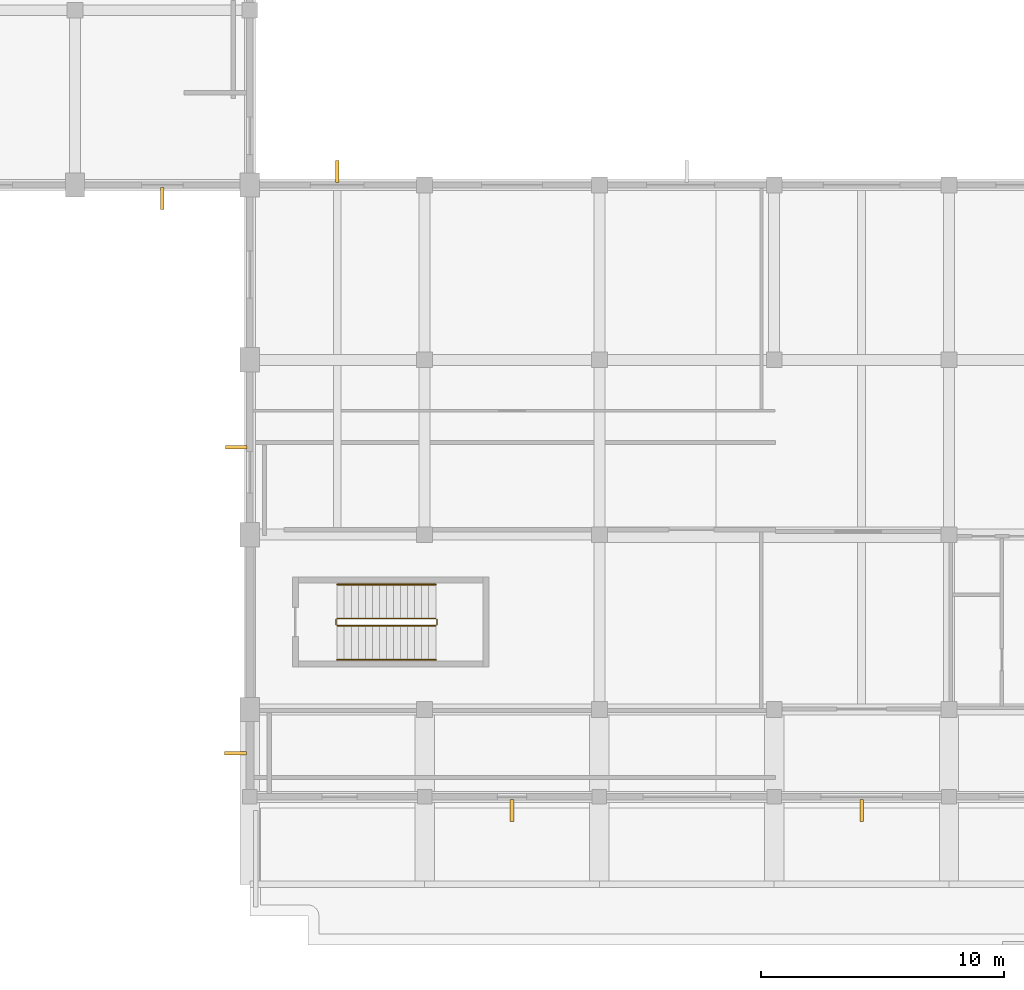
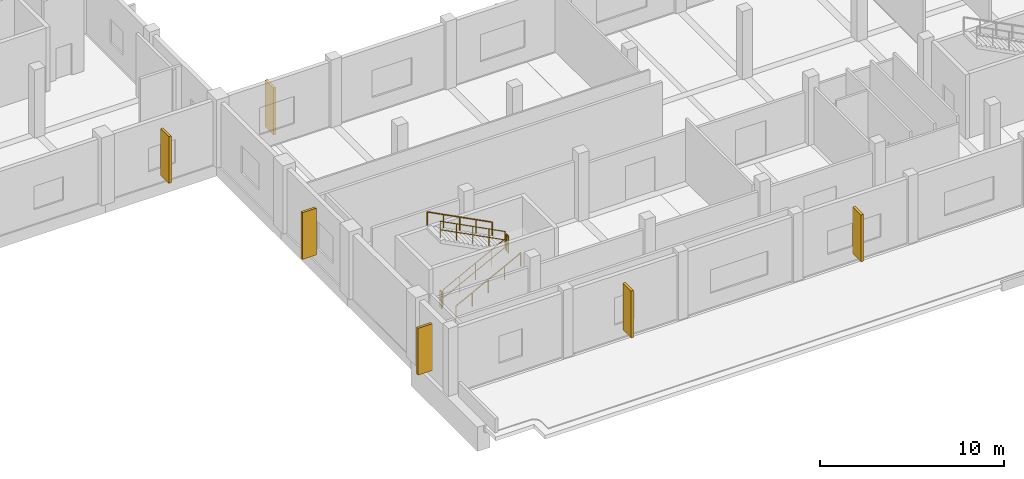
# One storey, part 11 of 16: 6 railings, 6 shading devices.
"""IFC4 building model written with IfcOpenShell, lengths in metres."""

from ifc_helpers import new_model, si_unit, direction, frame, origin, origin_2d, place, context, subcontext, project, spatial, rectangle, circle, extrude, material, type_object, element, save


model = new_model("IFC4")

# Units and contexts
model_context = context("Model", 3, precision=1e-05, world=origin(), true_north=direction((0.0, 1.0)))
body_context = subcontext(model_context, "Body", "Model", "MODEL_VIEW")
ifc_project = project(units=[si_unit("LENGTHUNIT", "METRE"), si_unit("AREAUNIT", "SQUARE_METRE"), si_unit("VOLUMEUNIT", "CUBIC_METRE"), si_unit("PLANEANGLEUNIT", "RADIAN"), si_unit("MASSUNIT", "GRAM", prefix="KILO")], contexts=[model_context])

# Site, building, storey
site_placement = place(None, origin())
site = spatial("IfcSite", under=ifc_project, at=site_placement, CompositionType="ELEMENT")
building_placement = place(site_placement, origin())
building = spatial("IfcBuilding", under=site, at=building_placement, Name="Seraya Terrace Polytechnic", CompositionType="ELEMENT")
storey_placement = place(building_placement, frame((0.0, 0.0, 23.39990234375)))
storey = spatial("IfcBuildingStorey", under=building, at=storey_placement, Name="L05", CompositionType="ELEMENT", Elevation=23.39990234375)

# Shading devices
ifc_material_1 = material(Name="Precast concrete C40/50", Category="concrete")
shading_device_type = type_object("IfcShadingDeviceType", Name="BS-F1", PredefinedType="JALOUSIE", material=ifc_material_1)
for number, where, z_axis, x_axis, name in (
    (1, (68.39990234375, 3.0400390625, 0.449951171875), (0.0, 0.0, 1.0), (0.0, -1.0, 0.0), "Precast concrete brise-soleil fin L05"),
    (2, (54.0, 3.0400390625, 0.449951171875), (0.0, 0.0, 1.0), (0.0, -1.0, 0.0), "Precast concrete brise-soleil fin L05"),
    (3, (42.60498046875, 5.39990234375, 0.449951171875), (0.0, 0.0, 1.0), (-1.0, 0.0, 0.0), "Precast concrete brise-soleil fin L05"),
    (4, (42.639892578125, 18.0, 0.449951171875), (0.0, 0.0, 1.0), (-1.0, 0.0, 0.0), "Precast concrete brise-soleil fin L05"),
    (5, (46.800048828125, 29.360107421875, 0.449951171875), (0.0, 0.0, 1.0), (0.0, 1.0, 0.0), "Precast concrete brise-soleil fin L05"),
    (6, (39.60009765625, 28.239990234375, 0.449951171875), (0.0, 0.0, 1.0), (0.0, -1.0, 0.0), "Precast concrete brise-soleil fin L05"),
):
    element("IfcShadingDevice", number, at=place(storey_placement, frame(where, z_axis=z_axis, x_axis=x_axis)), inside=storey, type_object=shading_device_type, Name=name, PredefinedType="JALOUSIE", context=body_context, shape_type="SweptSolid", body=[
        extrude(rectangle(XDim=0.89990234375, YDim=0.14990234375, at=origin_2d()), origin(), (0.0, 0.0, 1.0), 3.10009765625),
    ])

# Railings
ifc_material_2 = material(Name="Steel S355J2", Category="steel")
railing_type_1 = type_object("IfcRailingType", Name="GR-02", PredefinedType="GUARDRAIL", material=ifc_material_2)
railing_1_placement = place(storey_placement, frame((46.800048828125, 10.64990234375, 0.150146484375)))
element("IfcRailing", 7, at=railing_1_placement, inside=storey, type_object=railing_type_1, Name="L05 ST-03 stair guard 1", PredefinedType="GUARDRAIL", context=body_context, shape_type="SweptSolid", body=[
    extrude(circle(Radius=0.02392578125, at=origin_2d()), frame((0.0, 0.0, 1.10595703125), z_axis=(0.888233425583, 0.0, 0.459392404897), x_axis=(0.0, 1.0, 0.0)), (0.0, 0.0, 1.0), 4.571044921875),
    extrude(circle(Radius=0.02392578125, at=origin_2d()), frame((0.0, 0.0, 0.550048828125), z_axis=(0.888233425583, 0.0, 0.459392404897), x_axis=(0.0, 1.0, 0.0)), (0.0, 0.0, 1.0), 4.571044921875),
    extrude(circle(Radius=0.02099609375, at=origin_2d()), origin(), (0.0, 0.0, 1.0), 1.081787109375),
    extrude(circle(Radius=0.02099609375, at=origin_2d()), frame((1.01513671875, 0.0, 0.52490234375)), (0.0, 0.0, 1.0), 1.081787109375),
    extrude(circle(Radius=0.02099609375, at=origin_2d()), frame((2.030029296875, 0.0, 1.0498046875)), (0.0, 0.0, 1.0), 1.081787109375),
    extrude(circle(Radius=0.02099609375, at=origin_2d()), frame((3.044921875, 0.0, 1.574951171875)), (0.0, 0.0, 1.0), 1.081787109375),
    extrude(circle(Radius=0.02099609375, at=origin_2d()), frame((4.06005859375, 0.0, 2.099853515625)), (0.0, 0.0, 1.0), 1.081787109375),
])
railing_2_placement = place(storey_placement, frame((50.909912109375, 10.699951171875, 2.25)))
element("IfcRailing", 8, at=railing_2_placement, inside=storey, type_object=railing_type_1, Name="L05 ST-03 stair guard 2", PredefinedType="GUARDRAIL", context=body_context, shape_type="SweptSolid", body=[
    extrude(circle(Radius=0.02392578125, at=origin_2d()), frame((0.0, 0.0, 1.10595703125), z_axis=(0.0, 1.0, 0.0), x_axis=(-1.0, 0.0, 0.0)), (0.0, 0.0, 1.0), 0.199951171875),
    extrude(circle(Radius=0.02392578125, at=origin_2d()), frame((0.0, 0.0, 0.550048828125), z_axis=(0.0, 1.0, 0.0), x_axis=(-1.0, 0.0, 0.0)), (0.0, 0.0, 1.0), 0.199951171875),
    extrude(circle(Radius=0.02099609375, at=origin_2d()), origin(), (0.0, 0.0, 1.0), 1.081787109375),
    extrude(circle(Radius=0.02099609375, at=origin_2d()), frame((0.0, 0.199951171875, 0.0)), (0.0, 0.0, 1.0), 1.081787109375),
])
railing_3_placement = place(storey_placement, frame((50.860107421875, 10.949951171875, 2.400146484375)))
element("IfcRailing", 9, at=railing_3_placement, inside=storey, type_object=railing_type_1, Name="L05 ST-03 stair guard 3", PredefinedType="GUARDRAIL", context=body_context, shape_type="SweptSolid", body=[
    extrude(circle(Radius=0.02392578125, at=origin_2d()), frame((0.0, 0.0, 1.10595703125), z_axis=(-0.888233425583, 0.0, 0.459392404897), x_axis=(0.0, -1.0, 0.0)), (0.0, 0.0, 1.0), 4.571044921875),
    extrude(circle(Radius=0.02392578125, at=origin_2d()), frame((0.0, 0.0, 0.550048828125), z_axis=(-0.888233425583, 0.0, 0.459392404897), x_axis=(0.0, -1.0, 0.0)), (0.0, 0.0, 1.0), 4.571044921875),
    extrude(circle(Radius=0.02099609375, at=origin_2d()), origin(), (0.0, 0.0, 1.0), 1.081787109375),
    extrude(circle(Radius=0.02099609375, at=origin_2d()), frame((-1.01513671875, 0.0, 0.52490234375)), (0.0, 0.0, 1.0), 1.081787109375),
    extrude(circle(Radius=0.02099609375, at=origin_2d()), frame((-2.030029296875, 0.0, 1.0498046875)), (0.0, 0.0, 1.0), 1.081787109375),
    extrude(circle(Radius=0.02099609375, at=origin_2d()), frame((-3.044921875, 0.0, 1.574951171875)), (0.0, 0.0, 1.0), 1.081787109375),
    extrude(circle(Radius=0.02099609375, at=origin_2d()), frame((-4.06005859375, 0.0, 2.099853515625)), (0.0, 0.0, 1.0), 1.081787109375),
])
railing_4_placement = place(storey_placement, frame((46.75, 10.699951171875, 0.0)))
element("IfcRailing", 10, at=railing_4_placement, inside=storey, type_object=railing_type_1, Name="L05 ST-03 stair guard 4", PredefinedType="GUARDRAIL", context=body_context, shape_type="SweptSolid", body=[
    extrude(circle(Radius=0.02392578125, at=origin_2d()), frame((0.0, 0.0, 1.10595703125), z_axis=(0.0, 1.0, 0.0), x_axis=(-1.0, 0.0, 0.0)), (0.0, 0.0, 1.0), 0.199951171875),
    extrude(circle(Radius=0.02392578125, at=origin_2d()), frame((0.0, 0.0, 0.550048828125), z_axis=(0.0, 1.0, 0.0), x_axis=(-1.0, 0.0, 0.0)), (0.0, 0.0, 1.0), 0.199951171875),
    extrude(circle(Radius=0.02099609375, at=origin_2d()), origin(), (0.0, 0.0, 1.0), 1.081787109375),
    extrude(circle(Radius=0.02099609375, at=origin_2d()), frame((0.0, 0.199951171875, 0.0)), (0.0, 0.0, 1.0), 1.081787109375),
])
railing_type_2 = type_object("IfcRailingType", Name="HR-01", PredefinedType="HANDRAIL", material=ifc_material_2)
railing_5_placement = place(storey_placement, frame((46.800048828125, 9.25, 0.150146484375)))
element("IfcRailing", 11, at=railing_5_placement, inside=storey, type_object=railing_type_2, Name="L05 ST-03 stair handrail 1", PredefinedType="HANDRAIL", context=body_context, shape_type="SweptSolid", body=[
    extrude(circle(Radius=0.02392578125, at=origin_2d()), frame((0.0, 0.0, 0.8759765625), z_axis=(0.888233425583, 0.0, 0.459392404897), x_axis=(0.0, 1.0, 0.0)), (0.0, 0.0, 1.0), 4.571044921875),
    extrude(circle(Radius=0.02099609375, at=origin_2d()), origin(), (0.0, 0.0, 1.0), 0.851806640625),
    extrude(circle(Radius=0.02099609375, at=origin_2d()), frame((1.01513671875, 0.0, 0.52490234375)), (0.0, 0.0, 1.0), 0.851806640625),
    extrude(circle(Radius=0.02099609375, at=origin_2d()), frame((2.030029296875, 0.0, 1.0498046875)), (0.0, 0.0, 1.0), 0.851806640625),
    extrude(circle(Radius=0.02099609375, at=origin_2d()), frame((3.044921875, 0.0, 1.574951171875)), (0.0, 0.0, 1.0), 0.851806640625),
    extrude(circle(Radius=0.02099609375, at=origin_2d()), frame((4.06005859375, 0.0, 2.099853515625)), (0.0, 0.0, 1.0), 0.851806640625),
])
railing_6_placement = place(storey_placement, frame((50.860107421875, 12.35009765625, 2.400146484375)))
element("IfcRailing", 12, at=railing_6_placement, inside=storey, type_object=railing_type_2, Name="L05 ST-03 stair handrail 2", PredefinedType="HANDRAIL", context=body_context, shape_type="SweptSolid", body=[
    extrude(circle(Radius=0.02392578125, at=origin_2d()), frame((0.0, 0.0, 0.8759765625), z_axis=(-0.888233425583, 0.0, 0.459392404897), x_axis=(0.0, -1.0, 0.0)), (0.0, 0.0, 1.0), 4.571044921875),
    extrude(circle(Radius=0.02099609375, at=origin_2d()), origin(), (0.0, 0.0, 1.0), 0.851806640625),
    extrude(circle(Radius=0.02099609375, at=origin_2d()), frame((-1.01513671875, 0.0, 0.52490234375)), (0.0, 0.0, 1.0), 0.851806640625),
    extrude(circle(Radius=0.02099609375, at=origin_2d()), frame((-2.030029296875, 0.0, 1.0498046875)), (0.0, 0.0, 1.0), 0.851806640625),
    extrude(circle(Radius=0.02099609375, at=origin_2d()), frame((-3.044921875, 0.0, 1.574951171875)), (0.0, 0.0, 1.0), 0.851806640625),
    extrude(circle(Radius=0.02099609375, at=origin_2d()), frame((-4.06005859375, 0.0, 2.099853515625)), (0.0, 0.0, 1.0), 0.851806640625),
])

save(model, "model.ifc")
